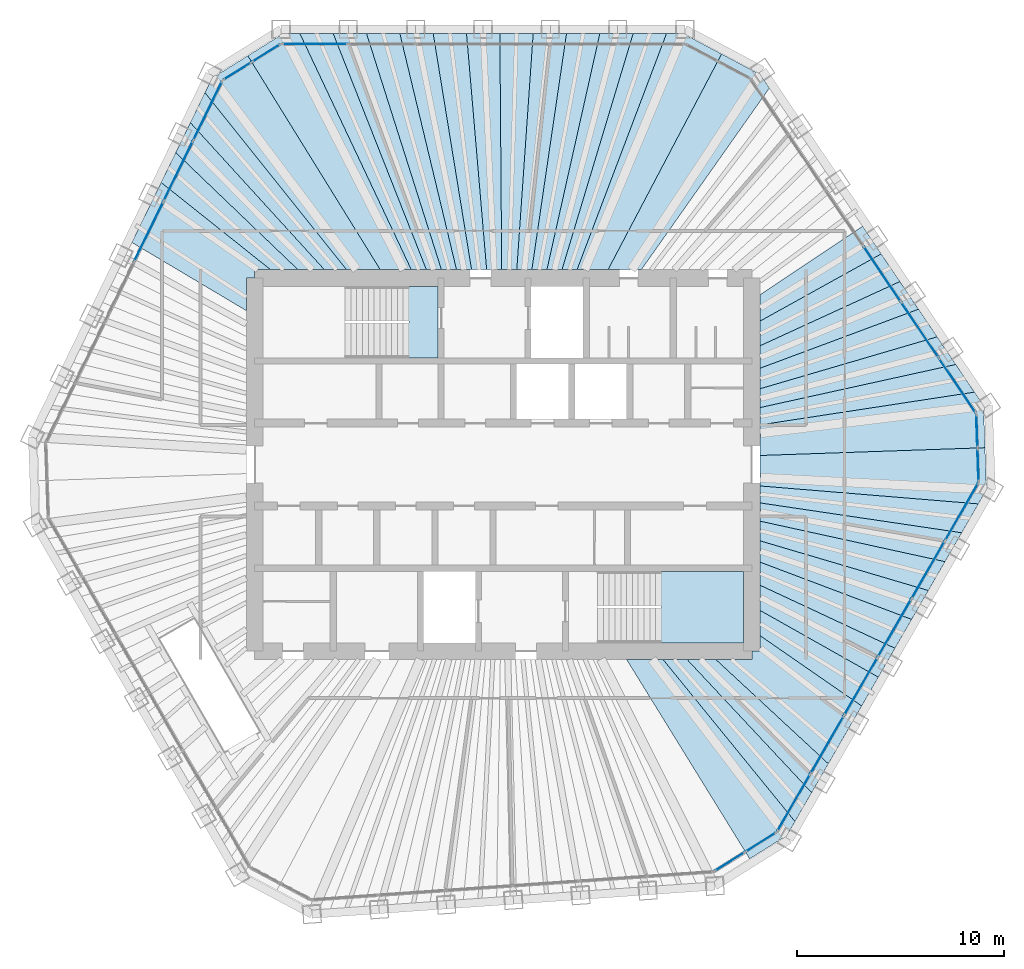
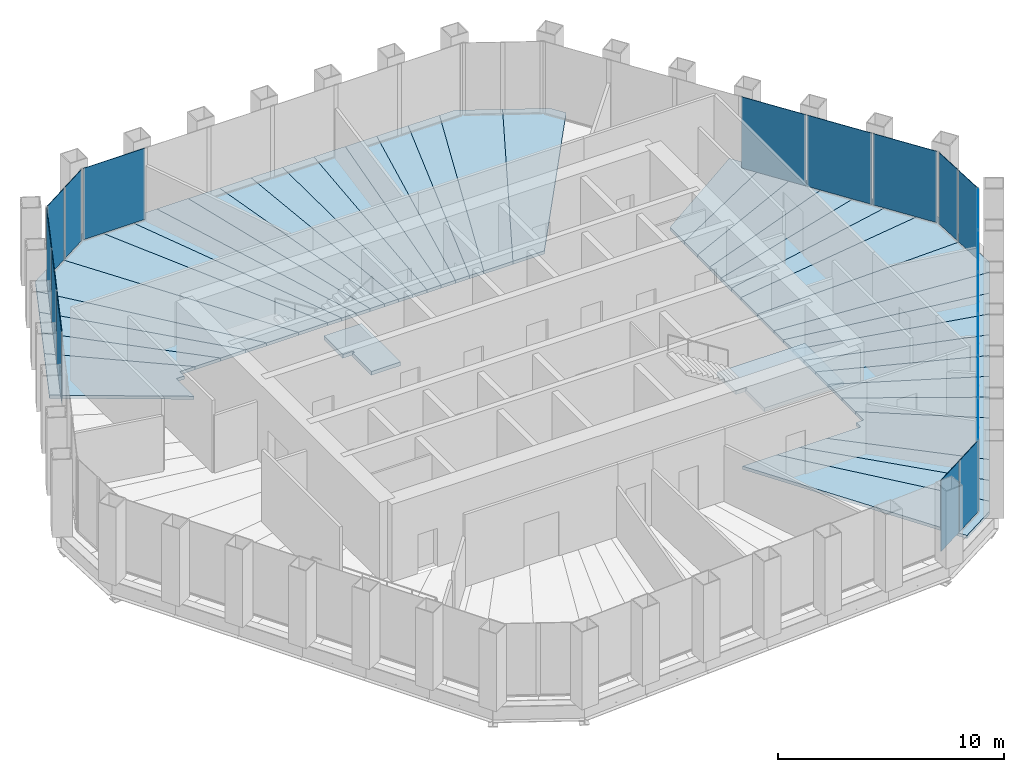
# One storey, part 10 of 14: 40 slabs, 19 plates, 9 elements without a shape of their own.
"""IFC4 building model written with IfcOpenShell, lengths in metres."""

from ifc_helpers import new_model, si_unit, direction, frame, origin, origin_2d, place, context, subcontext, project, spatial, polyline, rectangle, outline, extrude, material, layer, layer_set, type_object, element, aggregate, save


model = new_model("IFC4")

# Units and contexts
model_context = context("Model", 3, precision=1e-05, world=origin(), true_north=direction((0.0, 1.0)))
body_context = subcontext(model_context, "Body", "Model", "MODEL_VIEW")
ifc_project = project(units=[si_unit("LENGTHUNIT", "METRE"), si_unit("AREAUNIT", "SQUARE_METRE"), si_unit("VOLUMEUNIT", "CUBIC_METRE"), si_unit("PLANEANGLEUNIT", "RADIAN"), si_unit("MASSUNIT", "GRAM", prefix="KILO")], contexts=[model_context])

# Site, building, storey
site_placement = place(None, origin())
site = spatial("IfcSite", under=ifc_project, at=site_placement, CompositionType="ELEMENT")
building_placement = place(site_placement, origin())
building = spatial("IfcBuilding", under=site, at=building_placement, Name="Qingtian Harvest Tower", CompositionType="ELEMENT")
storey_placement = place(building_placement, frame((0.0, 0.0, 333.39990234375)))
storey = spatial("IfcBuildingStorey", under=building, at=storey_placement, Name="L74", CompositionType="ELEMENT", Elevation=333.39990234375)

# Slabs
ifc_material_1 = material(Name="Concrete fc' 35 MPa", Category="concrete")
ifc_layer_1 = layer(ifc_material_1, 0.169921875)
ifc_layer_set_1 = layer_set([ifc_layer_1], Name="Composite floor slab FS17 170")
slab_type_1 = type_object("IfcSlabType", Name="Composite floor slab FS17 170", PredefinedType="FLOOR", material=ifc_layer_set_1)
slab_1_placement = place(storey_placement, frame((0.0, 0.0, -0.169921875)))
element("IfcSlab", 1, at=slab_1_placement, inside=storey, type_object=slab_type_1, Name="Floor slab L74 panel D27", PredefinedType="FLOOR", context=body_context, shape_type="SweptSolid", body=[
    extrude(outline(polyline([(5.945556640625, -9.39990234375), (7.703125, -9.39990234375), (14.077880859375, -17.2265625), (13.6865234375, -17.904296875), (11.890380859375, -19.026611328125), (5.945556640625, -9.39990234375)])), origin(), (0.0, 0.0, 1.0), 0.169921875),
])
slab_2_placement = place(storey_placement, frame((0.0, 0.0, -0.169921875)))
element("IfcSlab", 2, at=slab_2_placement, inside=storey, type_object=slab_type_1, Name="Floor slab L74 panel D28", PredefinedType="FLOOR", context=body_context, shape_type="SweptSolid", body=[
    extrude(outline(polyline([(8.86279296875, -9.39990234375), (14.88232421875, -15.8330078125), (14.077880859375, -17.2265625), (7.703125, -9.39990234375), (8.86279296875, -9.39990234375)])), origin(), (0.0, 0.0, 1.0), 0.169921875),
])
slab_3_placement = place(storey_placement, frame((0.0, 0.0, -0.169921875)))
element("IfcSlab", 3, at=slab_3_placement, inside=storey, type_object=slab_type_1, Name="Floor slab L74 panel D29", PredefinedType="FLOOR", context=body_context, shape_type="SweptSolid", body=[
    extrude(outline(polyline([(10.248046875, -9.39990234375), (15.68701171875, -14.439453125), (14.88232421875, -15.8330078125), (8.86279296875, -9.39990234375), (10.248046875, -9.39990234375)])), origin(), (0.0, 0.0, 1.0), 0.169921875),
])
slab_4_placement = place(storey_placement, frame((0.0, 0.0, -0.169921875)))
element("IfcSlab", 4, at=slab_4_placement, inside=storey, type_object=slab_type_1, Name="Floor slab L74 panel D31", PredefinedType="FLOOR", context=body_context, shape_type="SweptSolid", body=[
    extrude(outline(polyline([(12.39990234375, -8.263427734375), (17.296630859375, -11.651123046875), (15.68701171875, -14.439453125), (10.248046875, -9.39990234375), (12.0, -9.39990234375), (12.0, -9.0), (12.39990234375, -9.0), (12.39990234375, -8.263427734375)])), origin(), (0.0, 0.0, 1.0), 0.169921875),
])
slab_5_placement = place(storey_placement, frame((0.0, 0.0, -0.169921875)))
element("IfcSlab", 5, at=slab_5_placement, inside=storey, type_object=slab_type_1, Name="Floor slab L74 panel D32", PredefinedType="FLOOR", context=body_context, shape_type="SweptSolid", body=[
    extrude(outline(polyline([(12.39990234375, -7.04296875), (18.099853515625, -10.26025390625), (17.296630859375, -11.651123046875), (12.39990234375, -8.263427734375), (12.39990234375, -7.04296875)])), origin(), (0.0, 0.0, 1.0), 0.169921875),
])
slab_6_placement = place(storey_placement, frame((0.0, 0.0, -0.169921875)))
element("IfcSlab", 6, at=slab_6_placement, inside=storey, type_object=slab_type_1, Name="Floor slab L74 panel D33", PredefinedType="FLOOR", context=body_context, shape_type="SweptSolid", body=[
    extrude(outline(polyline([(12.39990234375, -5.828125), (18.904296875, -8.86669921875), (18.099853515625, -10.26025390625), (12.39990234375, -7.04296875), (12.39990234375, -5.828125)])), origin(), (0.0, 0.0, 1.0), 0.169921875),
])
slab_7_placement = place(storey_placement, frame((0.0, 0.0, -0.169921875)))
element("IfcSlab", 7, at=slab_7_placement, inside=storey, type_object=slab_type_1, Name="Floor slab L74 panel D34", PredefinedType="FLOOR", context=body_context, shape_type="SweptSolid", body=[
    extrude(outline(polyline([(12.39990234375, -4.712646484375), (19.708740234375, -7.473388671875), (18.904296875, -8.86669921875), (12.39990234375, -5.828125), (12.39990234375, -4.712646484375)])), origin(), (0.0, 0.0, 1.0), 0.169921875),
])
slab_8_placement = place(storey_placement, frame((0.0, 0.0, -0.169921875)))
element("IfcSlab", 8, at=slab_8_placement, inside=storey, type_object=slab_type_1, Name="Floor slab L74 panel D35", PredefinedType="FLOOR", context=body_context, shape_type="SweptSolid", body=[
    extrude(outline(polyline([(12.39990234375, -3.684814453125), (20.51318359375, -6.080078125), (19.708740234375, -7.473388671875), (12.39990234375, -4.712646484375), (12.39990234375, -3.684814453125)])), origin(), (0.0, 0.0, 1.0), 0.169921875),
])
slab_9_placement = place(storey_placement, frame((0.0, 0.0, -0.169921875)))
element("IfcSlab", 9, at=slab_9_placement, inside=storey, type_object=slab_type_1, Name="Floor slab L74 panel D36", PredefinedType="FLOOR", context=body_context, shape_type="SweptSolid", body=[
    extrude(outline(polyline([(12.39990234375, -2.734619140625), (21.317626953125, -4.6865234375), (20.51318359375, -6.080078125), (12.39990234375, -3.684814453125), (12.39990234375, -2.734619140625)])), origin(), (0.0, 0.0, 1.0), 0.169921875),
])
slab_10_placement = place(storey_placement, frame((0.0, 0.0, -0.169921875)))
element("IfcSlab", 10, at=slab_10_placement, inside=storey, type_object=slab_type_1, Name="Floor slab L74 panel D37", PredefinedType="FLOOR", context=body_context, shape_type="SweptSolid", body=[
    extrude(outline(polyline([(12.39990234375, -1.853515625), (22.122314453125, -3.293212890625), (21.317626953125, -4.6865234375), (12.39990234375, -2.734619140625), (12.39990234375, -1.853515625)])), origin(), (0.0, 0.0, 1.0), 0.169921875),
])
slab_11_placement = place(storey_placement, frame((0.0, 0.0, -0.169921875)))
element("IfcSlab", 11, at=slab_11_placement, inside=storey, type_object=slab_type_1, Name="Floor slab L74 panel D38", PredefinedType="FLOOR", context=body_context, shape_type="SweptSolid", body=[
    extrude(outline(polyline([(12.39990234375, -1.034423828125), (22.9267578125, -1.89990234375), (22.122314453125, -3.293212890625), (12.39990234375, -1.853515625), (12.39990234375, -1.034423828125)])), origin(), (0.0, 0.0, 1.0), 0.169921875),
])
slab_12_placement = place(storey_placement, frame((0.0, 0.0, -0.169921875)))
element("IfcSlab", 12, at=slab_12_placement, inside=storey, type_object=slab_type_1, Name="Floor slab L74 panel D39", PredefinedType="FLOOR", context=body_context, shape_type="SweptSolid", body=[
    extrude(outline(polyline([(12.39990234375, -1.034423828125), (12.39990234375, 0.436279296875), (23.246826171875, 0.811767578125), (23.31787109375, -1.22216796875), (22.9267578125, -1.89990234375), (12.39990234375, -1.034423828125)])), origin(), (0.0, 0.0, 1.0), 0.169921875),
])
slab_13_placement = place(storey_placement, frame((0.0, 0.0, -0.169921875)))
element("IfcSlab", 13, at=slab_13_placement, inside=storey, type_object=slab_type_1, Name="Floor slab L74 panel D40", PredefinedType="FLOOR", context=body_context, shape_type="SweptSolid", body=[
    extrude(outline(polyline([(12.39990234375, 0.436279296875), (12.39990234375, 1.91357421875), (22.73828125, 3.494384765625), (23.17578125, 2.845947265625), (23.246826171875, 0.811767578125), (12.39990234375, 0.436279296875)])), origin(), (0.0, 0.0, 1.0), 0.169921875),
])
slab_14_placement = place(storey_placement, frame((0.0, 0.0, -0.169921875)))
element("IfcSlab", 14, at=slab_14_placement, inside=storey, type_object=slab_type_1, Name="Floor slab L74 panel D41", PredefinedType="FLOOR", context=body_context, shape_type="SweptSolid", body=[
    extrude(outline(polyline([(12.39990234375, 2.75048828125), (21.838623046875, 4.828369140625), (22.73828125, 3.494384765625), (12.39990234375, 1.91357421875), (12.39990234375, 2.75048828125)])), origin(), (0.0, 0.0, 1.0), 0.169921875),
])
slab_15_placement = place(storey_placement, frame((0.0, 0.0, -0.169921875)))
element("IfcSlab", 15, at=slab_15_placement, inside=storey, type_object=slab_type_1, Name="Floor slab L74 panel D42", PredefinedType="FLOOR", context=body_context, shape_type="SweptSolid", body=[
    extrude(outline(polyline([(12.39990234375, 3.659423828125), (20.93896484375, 6.162353515625), (21.838623046875, 4.828369140625), (12.39990234375, 2.75048828125), (12.39990234375, 3.659423828125)])), origin(), (0.0, 0.0, 1.0), 0.169921875),
])
slab_16_placement = place(storey_placement, frame((0.0, 0.0, -0.169921875)))
element("IfcSlab", 16, at=slab_16_placement, inside=storey, type_object=slab_type_1, Name="Floor slab L74 panel D43", PredefinedType="FLOOR", context=body_context, shape_type="SweptSolid", body=[
    extrude(outline(polyline([(12.39990234375, 4.64990234375), (20.0390625, 7.49609375), (20.93896484375, 6.162353515625), (12.39990234375, 3.659423828125), (12.39990234375, 4.64990234375)])), origin(), (0.0, 0.0, 1.0), 0.169921875),
])
slab_17_placement = place(storey_placement, frame((0.0, 0.0, -0.169921875)))
element("IfcSlab", 17, at=slab_17_placement, inside=storey, type_object=slab_type_1, Name="Floor slab L74 panel D44", PredefinedType="FLOOR", context=body_context, shape_type="SweptSolid", body=[
    extrude(outline(polyline([(12.39990234375, 5.73388671875), (19.139404296875, 8.830078125), (20.0390625, 7.49609375), (12.39990234375, 4.64990234375), (12.39990234375, 5.73388671875)])), origin(), (0.0, 0.0, 1.0), 0.169921875),
])
slab_18_placement = place(storey_placement, frame((0.0, 0.0, -0.169921875)))
element("IfcSlab", 18, at=slab_18_placement, inside=storey, type_object=slab_type_1, Name="Floor slab L74 panel D45", PredefinedType="FLOOR", context=body_context, shape_type="SweptSolid", body=[
    extrude(outline(polyline([(12.39990234375, 6.925048828125), (18.23974609375, 10.1640625), (19.139404296875, 8.830078125), (12.39990234375, 5.73388671875), (12.39990234375, 6.925048828125)])), origin(), (0.0, 0.0, 1.0), 0.169921875),
])
slab_19_placement = place(storey_placement, frame((0.0, 0.0, -0.169921875)))
element("IfcSlab", 19, at=slab_19_placement, inside=storey, type_object=slab_type_1, Name="Floor slab L74 panel D46", PredefinedType="FLOOR", context=body_context, shape_type="SweptSolid", body=[
    extrude(outline(polyline([(12.39990234375, 8.199462890625), (17.340576171875, 11.4970703125), (18.23974609375, 10.1640625), (12.39990234375, 6.925048828125), (12.39990234375, 8.199462890625)])), origin(), (0.0, 0.0, 1.0), 0.169921875),
])
slab_20_placement = place(storey_placement, frame((0.0, 0.0, -0.169921875)))
element("IfcSlab", 20, at=slab_20_placement, inside=storey, type_object=slab_type_1, Name="Floor slab L74 panel D52", PredefinedType="FLOOR", context=body_context, shape_type="SweptSolid", body=[
    extrude(outline(polyline([(5.05419921875, 9.39990234375), (10.533935546875, 19.809814453125), (12.404296875, 18.8154296875), (12.841796875, 18.16650390625), (6.662109375, 9.39990234375), (5.05419921875, 9.39990234375)])), origin(), (0.0, 0.0, 1.0), 0.169921875),
])
slab_21_placement = place(storey_placement, frame((0.0, 0.0, -0.169921875)))
element("IfcSlab", 21, at=slab_21_placement, inside=storey, type_object=slab_type_1, Name="Floor slab L74 panel D53", PredefinedType="FLOOR", context=body_context, shape_type="SweptSolid", body=[
    extrude(outline(polyline([(5.05419921875, 9.39990234375), (3.560302734375, 9.39990234375), (7.880126953125, 20.804931640625), (8.662109375, 20.804931640625), (10.533935546875, 19.809814453125), (5.05419921875, 9.39990234375)])), origin(), (0.0, 0.0, 1.0), 0.169921875),
])
slab_22_placement = place(storey_placement, frame((0.0, 0.0, -0.169921875)))
element("IfcSlab", 22, at=slab_22_placement, inside=storey, type_object=slab_type_1, Name="Floor slab L74 panel D54", PredefinedType="FLOOR", context=body_context, shape_type="SweptSolid", body=[
    extrude(outline(polyline([(2.833251953125, 9.39990234375), (6.27099609375, 20.804931640625), (7.880126953125, 20.804931640625), (3.560302734375, 9.39990234375), (2.833251953125, 9.39990234375)])), origin(), (0.0, 0.0, 1.0), 0.169921875),
])
slab_23_placement = place(storey_placement, frame((0.0, 0.0, -0.169921875)))
element("IfcSlab", 23, at=slab_23_placement, inside=storey, type_object=slab_type_1, Name="Floor slab L74 panel D55", PredefinedType="FLOOR", context=body_context, shape_type="SweptSolid", body=[
    extrude(outline(polyline([(2.1064453125, 9.39990234375), (4.662109375, 20.804931640625), (6.27099609375, 20.804931640625), (2.833251953125, 9.39990234375), (2.1064453125, 9.39990234375)])), origin(), (0.0, 0.0, 1.0), 0.169921875),
])
slab_24_placement = place(storey_placement, frame((0.0, 0.0, -0.169921875)))
element("IfcSlab", 24, at=slab_24_placement, inside=storey, type_object=slab_type_1, Name="Floor slab L74 panel D56", PredefinedType="FLOOR", context=body_context, shape_type="SweptSolid", body=[
    extrude(outline(polyline([(1.37939453125, 9.39990234375), (3.05322265625, 20.804931640625), (4.662109375, 20.804931640625), (2.1064453125, 9.39990234375), (1.37939453125, 9.39990234375)])), origin(), (0.0, 0.0, 1.0), 0.169921875),
])
slab_25_placement = place(storey_placement, frame((0.0, 0.0, -0.169921875)))
element("IfcSlab", 25, at=slab_25_placement, inside=storey, type_object=slab_type_1, Name="Floor slab L74 panel D57", PredefinedType="FLOOR", context=body_context, shape_type="SweptSolid", body=[
    extrude(outline(polyline([(0.652587890625, 9.39990234375), (1.4443359375, 20.804931640625), (3.05322265625, 20.804931640625), (1.37939453125, 9.39990234375), (0.652587890625, 9.39990234375)])), origin(), (0.0, 0.0, 1.0), 0.169921875),
])
slab_26_placement = place(storey_placement, frame((0.0, 0.0, -0.169921875)))
element("IfcSlab", 26, at=slab_26_placement, inside=storey, type_object=slab_type_1, Name="Floor slab L74 panel D58", PredefinedType="FLOOR", context=body_context, shape_type="SweptSolid", body=[
    extrude(outline(polyline([(-0.074462890625, 9.39990234375), (-0.16455078125, 20.804931640625), (1.4443359375, 20.804931640625), (0.652587890625, 9.39990234375), (-0.074462890625, 9.39990234375)])), origin(), (0.0, 0.0, 1.0), 0.169921875),
])
slab_27_placement = place(storey_placement, frame((0.0, 0.0, -0.169921875)))
element("IfcSlab", 27, at=slab_27_placement, inside=storey, type_object=slab_type_1, Name="Floor slab L74 panel D59", PredefinedType="FLOOR", context=body_context, shape_type="SweptSolid", body=[
    extrude(outline(polyline([(-0.80126953125, 9.39990234375), (-1.773681640625, 20.804931640625), (-0.16455078125, 20.804931640625), (-0.074462890625, 9.39990234375), (-0.80126953125, 9.39990234375)])), origin(), (0.0, 0.0, 1.0), 0.169921875),
])
slab_28_placement = place(storey_placement, frame((0.0, 0.0, -0.169921875)))
element("IfcSlab", 28, at=slab_28_placement, inside=storey, type_object=slab_type_1, Name="Floor slab L74 panel D60", PredefinedType="FLOOR", context=body_context, shape_type="SweptSolid", body=[
    extrude(outline(polyline([(-1.5283203125, 9.39990234375), (-3.382568359375, 20.804931640625), (-1.773681640625, 20.804931640625), (-0.80126953125, 9.39990234375), (-1.5283203125, 9.39990234375)])), origin(), (0.0, 0.0, 1.0), 0.169921875),
])
slab_29_placement = place(storey_placement, frame((0.0, 0.0, -0.169921875)))
element("IfcSlab", 29, at=slab_29_placement, inside=storey, type_object=slab_type_1, Name="Floor slab L74 panel D61", PredefinedType="FLOOR", context=body_context, shape_type="SweptSolid", body=[
    extrude(outline(polyline([(-2.255126953125, 9.39990234375), (-4.991455078125, 20.804931640625), (-3.382568359375, 20.804931640625), (-1.5283203125, 9.39990234375), (-2.255126953125, 9.39990234375)])), origin(), (0.0, 0.0, 1.0), 0.169921875),
])
slab_30_placement = place(storey_placement, frame((0.0, 0.0, -0.169921875)))
element("IfcSlab", 30, at=slab_30_placement, inside=storey, type_object=slab_type_1, Name="Floor slab L74 panel D62", PredefinedType="FLOOR", context=body_context, shape_type="SweptSolid", body=[
    extrude(outline(polyline([(-2.982177734375, 9.39990234375), (-6.600341796875, 20.804931640625), (-4.991455078125, 20.804931640625), (-2.255126953125, 9.39990234375), (-2.982177734375, 9.39990234375)])), origin(), (0.0, 0.0, 1.0), 0.169921875),
])
slab_31_placement = place(storey_placement, frame((0.0, 0.0, -0.169921875)))
element("IfcSlab", 31, at=slab_31_placement, inside=storey, type_object=slab_type_1, Name="Floor slab L74 panel D63", PredefinedType="FLOOR", context=body_context, shape_type="SweptSolid", body=[
    extrude(outline(polyline([(-3.708984375, 9.39990234375), (-8.209228515625, 20.804931640625), (-6.600341796875, 20.804931640625), (-2.982177734375, 9.39990234375), (-3.708984375, 9.39990234375)])), origin(), (0.0, 0.0, 1.0), 0.169921875),
])
slab_32_placement = place(storey_placement, frame((0.0, 0.0, -0.169921875)))
element("IfcSlab", 32, at=slab_32_placement, inside=storey, type_object=slab_type_1, Name="Floor slab L74 panel D64", PredefinedType="FLOOR", context=body_context, shape_type="SweptSolid", body=[
    extrude(outline(polyline([(-4.43603515625, 9.39990234375), (-9.818115234375, 20.804931640625), (-8.209228515625, 20.804931640625), (-3.708984375, 9.39990234375), (-4.43603515625, 9.39990234375)])), origin(), (0.0, 0.0, 1.0), 0.169921875),
])
slab_33_placement = place(storey_placement, frame((0.0, 0.0, -0.169921875)))
element("IfcSlab", 33, at=slab_33_placement, inside=storey, type_object=slab_type_1, Name="Floor slab L74 panel D65", PredefinedType="FLOOR", context=body_context, shape_type="SweptSolid", body=[
    extrude(outline(polyline([(-4.43603515625, 9.39990234375), (-5.935302734375, 9.39990234375), (-12.327392578125, 19.725830078125), (-10.600341796875, 20.804931640625), (-9.818115234375, 20.804931640625), (-4.43603515625, 9.39990234375)])), origin(), (0.0, 0.0, 1.0), 0.169921875),
])
slab_34_placement = place(storey_placement, frame((0.0, 0.0, -0.169921875)))
element("IfcSlab", 34, at=slab_34_placement, inside=storey, type_object=slab_type_1, Name="Floor slab L74 panel D66", PredefinedType="FLOOR", context=body_context, shape_type="SweptSolid", body=[
    extrude(outline(polyline([(-5.935302734375, 9.39990234375), (-7.560302734375, 9.39990234375), (-14.3955078125, 17.944580078125), (-14.052490234375, 18.64794921875), (-12.327392578125, 19.725830078125), (-5.935302734375, 9.39990234375)])), origin(), (0.0, 0.0, 1.0), 0.169921875),
])
slab_35_placement = place(storey_placement, frame((0.0, 0.0, -0.169921875)))
element("IfcSlab", 35, at=slab_35_placement, inside=storey, type_object=slab_type_1, Name="Floor slab L74 panel D67", PredefinedType="FLOOR", context=body_context, shape_type="SweptSolid", body=[
    extrude(outline(polyline([(-8.62890625, 9.39990234375), (-15.100830078125, 16.498291015625), (-14.3955078125, 17.944580078125), (-7.560302734375, 9.39990234375), (-8.62890625, 9.39990234375)])), origin(), (0.0, 0.0, 1.0), 0.169921875),
])
slab_36_placement = place(storey_placement, frame((0.0, 0.0, -0.169921875)))
element("IfcSlab", 36, at=slab_36_placement, inside=storey, type_object=slab_type_1, Name="Floor slab L74 panel D68", PredefinedType="FLOOR", context=body_context, shape_type="SweptSolid", body=[
    extrude(outline(polyline([(-9.90380859375, 9.39990234375), (-15.80615234375, 15.05224609375), (-15.100830078125, 16.498291015625), (-8.62890625, 9.39990234375), (-9.90380859375, 9.39990234375)])), origin(), (0.0, 0.0, 1.0), 0.169921875),
])
slab_37_placement = place(storey_placement, frame((0.0, 0.0, -0.169921875)))
element("IfcSlab", 37, at=slab_37_placement, inside=storey, type_object=slab_type_1, Name="Floor slab L74 panel D69", PredefinedType="FLOOR", context=body_context, shape_type="SweptSolid", body=[
    extrude(outline(polyline([(-11.224853515625, 9.39990234375), (-16.509765625, 13.609619140625), (-15.80615234375, 15.05224609375), (-9.90380859375, 9.39990234375), (-11.224853515625, 9.39990234375)])), origin(), (0.0, 0.0, 1.0), 0.169921875),
])
slab_38_placement = place(storey_placement, frame((0.0, 0.0, -0.169921875)))
element("IfcSlab", 38, at=slab_38_placement, inside=storey, type_object=slab_type_1, Name="Floor slab L74 panel D70", PredefinedType="FLOOR", context=body_context, shape_type="SweptSolid", body=[
    extrude(outline(polyline([(-12.0, 9.0), (-12.39990234375, 9.0), (-12.39990234375, 7.42578125), (-17.921875, 10.714599609375), (-16.509765625, 13.609619140625), (-11.224853515625, 9.39990234375), (-12.0, 9.39990234375), (-12.0, 9.0)])), origin(), (0.0, 0.0, 1.0), 0.169921875),
])

# Curtain wall, plate
ifc_material_2 = material(Name="Bronze-anodised aluminium curtain wall", Category="aluminium")
curtain_wall_type = type_object("IfcCurtainWallType", Name="Curtain wall CW6 executive floors", PredefinedType="USERDEFINED", material=ifc_material_2)
curtain_wall_1_placement = place(storey_placement, origin())
curtain_wall_1 = element("IfcCurtainWall", 39, at=curtain_wall_1_placement, inside=storey, type_object=curtain_wall_type, Name="Curtain wall CW6 L74 N0-5", ObjectType="RECESSED CURTAIN WALL", PredefinedType="USERDEFINED")
ifc_material_3 = material(Name="Bronze-tinted laminated insulating glass", Category="glass")
ifc_layer_2 = layer(ifc_material_3, 0.030029296875)
ifc_layer_set_2 = layer_set([ifc_layer_2], Name="Glazed panel CWP tinted IGU")
plate_type = type_object("IfcPlateType", Name="Glazed panel CWP tinted IGU", PredefinedType="CURTAIN_PANEL", material=ifc_layer_set_2)
plate_1_placement = place(storey_placement, frame((-9.08203125, 20.300048828125, 0.065185546875), z_axis=(0.0, 0.0, 1.0), x_axis=(1.0, 0.0, 0.0)))
plate_1 = element("IfcPlate", 40, at=plate_1_placement, type_object=plate_type, Name="CW6 panel 1.1", PredefinedType="CURTAIN_PANEL", context=body_context, shape_type="SweptSolid", body=[
    extrude(rectangle(XDim=3.150634765625, YDim=0.030029296875, at=origin_2d()), origin(), (0.0, 0.0, 1.0), 3.85498046875),
])
aggregate(curtain_wall_1, [plate_1])

# Curtain wall, plates
curtain_wall_2_placement = place(storey_placement, origin())
curtain_wall_2 = element("IfcCurtainWall", 41, at=curtain_wall_2_placement, inside=storey, type_object=curtain_wall_type, Name="Curtain wall CW6 L74 NE0-5", ObjectType="RECESSED CURTAIN WALL", PredefinedType="USERDEFINED")
plate_2_placement = place(storey_placement, frame((18.28466796875, 9.1943359375, 0.065185546875), z_axis=(0.0, 0.0, 1.0), x_axis=(0.559192903471, -0.829037572555, 0.0)))
plate_2 = element("IfcPlate", 42, at=plate_2_placement, type_object=plate_type, Name="CW6 panel 4.1", PredefinedType="CURTAIN_PANEL", context=body_context, shape_type="SweptSolid", body=[
    extrude(rectangle(XDim=3.18310546875, YDim=0.030029296875, at=origin_2d()), origin(), (0.0, 0.0, 1.0), 3.85498046875),
])
plate_3_placement = place(storey_placement, frame((20.100830078125, 6.50146484375, 0.065185546875), z_axis=(0.0, 0.0, 1.0), x_axis=(0.559192903471, -0.829037572555, 0.0)))
plate_3 = element("IfcPlate", 43, at=plate_3_placement, type_object=plate_type, Name="CW6 panel 5.1", PredefinedType="CURTAIN_PANEL", context=body_context, shape_type="SweptSolid", body=[
    extrude(rectangle(XDim=3.18310546875, YDim=0.030029296875, at=origin_2d()), origin(), (0.0, 0.0, 1.0), 3.85498046875),
])
plate_4_placement = place(storey_placement, frame((21.907958984375, 3.822265625, 0.065185546875), z_axis=(0.0, 0.0, 1.0), x_axis=(0.559192903471, -0.829037572555, 0.0)))
plate_4 = element("IfcPlate", 44, at=plate_4_placement, type_object=plate_type, Name="CW6 panel 6.1", PredefinedType="CURTAIN_PANEL", context=body_context, shape_type="SweptSolid", body=[
    extrude(rectangle(XDim=3.150634765625, YDim=0.030029296875, at=origin_2d()), origin(), (0.0, 0.0, 1.0), 3.85498046875),
])
aggregate(curtain_wall_2, [plate_2, plate_3, plate_4])

curtain_wall_3_placement = place(storey_placement, origin())
curtain_wall_3 = element("IfcCurtainWall", 45, at=curtain_wall_3_placement, inside=storey, type_object=curtain_wall_type, Name="Curtain wall CW6 L74 NEC", ObjectType="RECESSED CURTAIN WALL", PredefinedType="USERDEFINED")
plate_5_placement = place(storey_placement, frame((22.85498046875, 1.614501953125, 0.065185546875), z_axis=(0.0, 0.0, 1.0), x_axis=(0.034899496703, -0.999390827019, 0.0)))
plate_5 = element("IfcPlate", 46, at=plate_5_placement, type_object=plate_type, Name="CW6 panel 1.1", PredefinedType="CURTAIN_PANEL", context=body_context, shape_type="SweptSolid", body=[
    extrude(rectangle(XDim=1.56689453125, YDim=0.030029296875, at=origin_2d()), origin(), (0.0, 0.0, 1.0), 3.85498046875),
])
plate_6_placement = place(storey_placement, frame((22.911865234375, -0.016357421875, 0.065185546875), z_axis=(0.0, 0.0, 1.0), x_axis=(0.034899496703, -0.999390827019, 0.0)))
plate_6 = element("IfcPlate", 47, at=plate_6_placement, type_object=plate_type, Name="CW6 panel 2.1", PredefinedType="CURTAIN_PANEL", context=body_context, shape_type="SweptSolid", body=[
    extrude(rectangle(XDim=1.56689453125, YDim=0.030029296875, at=origin_2d()), origin(), (0.0, 0.0, 1.0), 3.85498046875),
])
aggregate(curtain_wall_3, [plate_5, plate_6])

curtain_wall_4_placement = place(storey_placement, origin())
curtain_wall_4 = element("IfcCurtainWall", 48, at=curtain_wall_4_placement, inside=storey, type_object=curtain_wall_type, Name="Curtain wall CW6 L74 SE0-5", ObjectType="RECESSED CURTAIN WALL", PredefinedType="USERDEFINED")
plate_7_placement = place(storey_placement, frame((22.121337890625, -2.28466796875, 0.065185546875), z_axis=(0.0, 0.0, 1.0), x_axis=(-0.5, -0.866025403784, 0.0)))
plate_7 = element("IfcPlate", 49, at=plate_7_placement, type_object=plate_type, Name="CW6 panel 1.1", PredefinedType="CURTAIN_PANEL", context=body_context, shape_type="SweptSolid", body=[
    extrude(rectangle(XDim=3.150634765625, YDim=0.030029296875, at=origin_2d()), origin(), (0.0, 0.0, 1.0), 3.85498046875),
])
plate_8_placement = place(storey_placement, frame((20.50537109375, -5.08349609375, 0.065185546875), z_axis=(0.0, 0.0, 1.0), x_axis=(-0.5, -0.866025403784, 0.0)))
plate_8 = element("IfcPlate", 50, at=plate_8_placement, type_object=plate_type, Name="CW6 panel 2.1", PredefinedType="CURTAIN_PANEL", context=body_context, shape_type="SweptSolid", body=[
    extrude(rectangle(XDim=3.18310546875, YDim=0.030029296875, at=origin_2d()), origin(), (0.0, 0.0, 1.0), 3.85498046875),
])
plate_9_placement = place(storey_placement, frame((18.88134765625, -7.896484375, 0.065185546875), z_axis=(0.0, 0.0, 1.0), x_axis=(-0.5, -0.866025403784, 0.0)))
plate_9 = element("IfcPlate", 51, at=plate_9_placement, type_object=plate_type, Name="CW6 panel 3.1", PredefinedType="CURTAIN_PANEL", context=body_context, shape_type="SweptSolid", body=[
    extrude(rectangle(XDim=3.18310546875, YDim=0.030029296875, at=origin_2d()), origin(), (0.0, 0.0, 1.0), 3.85498046875),
])
plate_10_placement = place(storey_placement, frame((17.25732421875, -10.709228515625, 0.065185546875), z_axis=(0.0, 0.0, 1.0), x_axis=(-0.5, -0.866025403784, 0.0)))
plate_10 = element("IfcPlate", 52, at=plate_10_placement, type_object=plate_type, Name="CW6 panel 4.1", PredefinedType="CURTAIN_PANEL", context=body_context, shape_type="SweptSolid", body=[
    extrude(rectangle(XDim=3.18310546875, YDim=0.030029296875, at=origin_2d()), origin(), (0.0, 0.0, 1.0), 3.85498046875),
])
plate_11_placement = place(storey_placement, frame((15.63330078125, -13.522216796875, 0.065185546875), z_axis=(0.0, 0.0, 1.0), x_axis=(-0.5, -0.866025403784, 0.0)))
plate_11 = element("IfcPlate", 53, at=plate_11_placement, type_object=plate_type, Name="CW6 panel 5.1", PredefinedType="CURTAIN_PANEL", context=body_context, shape_type="SweptSolid", body=[
    extrude(rectangle(XDim=3.18310546875, YDim=0.030029296875, at=origin_2d()), origin(), (0.0, 0.0, 1.0), 3.85498046875),
])
plate_12_placement = place(storey_placement, frame((14.017578125, -16.321044921875, 0.065185546875), z_axis=(0.0, 0.0, 1.0), x_axis=(-0.5, -0.866025403784, 0.0)))
plate_12 = element("IfcPlate", 54, at=plate_12_placement, type_object=plate_type, Name="CW6 panel 6.1", PredefinedType="CURTAIN_PANEL", context=body_context, shape_type="SweptSolid", body=[
    extrude(rectangle(XDim=3.150634765625, YDim=0.030029296875, at=origin_2d()), origin(), (0.0, 0.0, 1.0), 3.85498046875),
])
aggregate(curtain_wall_4, [plate_7, plate_8, plate_9, plate_10, plate_11, plate_12])

curtain_wall_5_placement = place(storey_placement, origin())
curtain_wall_5 = element("IfcCurtainWall", 55, at=curtain_wall_5_placement, inside=storey, type_object=curtain_wall_type, Name="Curtain wall CW6 L74 SEC", ObjectType="RECESSED CURTAIN WALL", PredefinedType="USERDEFINED")
plate_13_placement = place(storey_placement, frame((12.42431640625, -18.224609375, 0.065185546875), z_axis=(0.0, 0.0, 1.0), x_axis=(-0.848048096156, -0.529919264233, 0.0)))
plate_13 = element("IfcPlate", 56, at=plate_13_placement, type_object=plate_type, Name="CW6 panel 1.1", PredefinedType="CURTAIN_PANEL", context=body_context, shape_type="SweptSolid", body=[
    extrude(rectangle(XDim=1.69287109375, YDim=0.030029296875, at=origin_2d()), origin(), (0.0, 0.0, 1.0), 3.85498046875),
])
plate_14_placement = place(storey_placement, frame((10.93359375, -19.156005859375, 0.065185546875), z_axis=(0.0, 0.0, 1.0), x_axis=(-0.848048096156, -0.529919264233, 0.0)))
plate_14 = element("IfcPlate", 57, at=plate_14_placement, type_object=plate_type, Name="CW6 panel 2.1", PredefinedType="CURTAIN_PANEL", context=body_context, shape_type="SweptSolid", body=[
    extrude(rectangle(XDim=1.69287109375, YDim=0.030029296875, at=origin_2d()), origin(), (0.0, 0.0, 1.0), 3.85498046875),
])
aggregate(curtain_wall_5, [plate_13, plate_14])

curtain_wall_6_placement = place(storey_placement, origin())
curtain_wall_6 = element("IfcCurtainWall", 58, at=curtain_wall_6_placement, inside=storey, type_object=curtain_wall_type, Name="Curtain wall CW6 L74 NW0-5", ObjectType="RECESSED CURTAIN WALL", PredefinedType="USERDEFINED")
plate_15_placement = place(storey_placement, frame((-17.104736328125, 11.23779296875, 0.065185546875), z_axis=(0.0, 0.0, 1.0), x_axis=(0.438371146789, 0.898794046299, 0.0)))
plate_15 = element("IfcPlate", 59, at=plate_15_placement, type_object=plate_type, Name="CW6 panel 4.1", PredefinedType="CURTAIN_PANEL", context=body_context, shape_type="SweptSolid", body=[
    extrude(rectangle(XDim=3.18310546875, YDim=0.030029296875, at=origin_2d()), origin(), (0.0, 0.0, 1.0), 3.85498046875),
])
plate_16_placement = place(storey_placement, frame((-15.680908203125, 14.156982421875, 0.065185546875), z_axis=(0.0, 0.0, 1.0), x_axis=(0.438371146789, 0.898794046299, 0.0)))
plate_16 = element("IfcPlate", 60, at=plate_16_placement, type_object=plate_type, Name="CW6 panel 5.1", PredefinedType="CURTAIN_PANEL", context=body_context, shape_type="SweptSolid", body=[
    extrude(rectangle(XDim=3.18310546875, YDim=0.030029296875, at=origin_2d()), origin(), (0.0, 0.0, 1.0), 3.85498046875),
])
plate_17_placement = place(storey_placement, frame((-14.26416015625, 17.061767578125, 0.065185546875), z_axis=(0.0, 0.0, 1.0), x_axis=(0.438371146789, 0.898794046299, 0.0)))
plate_17 = element("IfcPlate", 61, at=plate_17_placement, type_object=plate_type, Name="CW6 panel 6.1", PredefinedType="CURTAIN_PANEL", context=body_context, shape_type="SweptSolid", body=[
    extrude(rectangle(XDim=3.150634765625, YDim=0.030029296875, at=origin_2d()), origin(), (0.0, 0.0, 1.0), 3.85498046875),
])
aggregate(curtain_wall_6, [plate_15, plate_16, plate_17])

curtain_wall_7_placement = place(storey_placement, origin())
curtain_wall_7 = element("IfcCurtainWall", 62, at=curtain_wall_7_placement, inside=storey, type_object=curtain_wall_type, Name="Curtain wall CW6 L74 NWC", ObjectType="RECESSED CURTAIN WALL", PredefinedType="USERDEFINED")
plate_18_placement = place(storey_placement, frame((-12.82568359375, 18.985595703125, 0.065185546875), z_axis=(0.0, 0.0, 1.0), x_axis=(0.848048096156, 0.529919264233, 0.0)))
plate_18 = element("IfcPlate", 63, at=plate_18_placement, type_object=plate_type, Name="CW6 panel 1.1", PredefinedType="CURTAIN_PANEL", context=body_context, shape_type="SweptSolid", body=[
    extrude(rectangle(XDim=1.56689453125, YDim=0.030029296875, at=origin_2d()), origin(), (0.0, 0.0, 1.0), 3.85498046875),
])
plate_19_placement = place(storey_placement, frame((-11.441650390625, 19.850341796875, 0.065185546875), z_axis=(0.0, 0.0, 1.0), x_axis=(0.848048096156, 0.529919264233, 0.0)))
plate_19 = element("IfcPlate", 64, at=plate_19_placement, type_object=plate_type, Name="CW6 panel 2.1", PredefinedType="CURTAIN_PANEL", context=body_context, shape_type="SweptSolid", body=[
    extrude(rectangle(XDim=1.56689453125, YDim=0.030029296875, at=origin_2d()), origin(), (0.0, 0.0, 1.0), 3.85498046875),
])
aggregate(curtain_wall_7, [plate_18, plate_19])

# Stair, slab
ifc_material_4 = material(Name="Concrete fc' 35 MPa", Category="concrete")
stair_type = type_object("IfcStairType", Name="Special stair ST7 4200", PredefinedType="HALF_TURN_STAIR", material=ifc_material_4)
stair_1_placement = place(storey_placement, origin())
stair_1 = element("IfcStair", 65, at=stair_1_placement, inside=storey, type_object=stair_type, Name="Special stair S1 L74", PredefinedType="HALF_TURN_STAIR")
ifc_material_5 = material(Name="Concrete fc' 35 MPa", Category="concrete")
ifc_layer_3 = layer(ifc_material_5, 0.199951171875)
ifc_layer_set_3 = layer_set([ifc_layer_3], Name="Stair landing SL2 200")
slab_type_2 = type_object("IfcSlabType", Name="Stair landing SL2 200", PredefinedType="LANDING", material=ifc_layer_set_3)
slab_39_placement = place(storey_placement, frame((0.0, 0.0, -0.199951171875)))
slab_39 = element("IfcSlab", 66, at=slab_39_placement, type_object=slab_type_2, Name="S1 landing 1", PredefinedType="LANDING", context=body_context, shape_type="SweptSolid", body=[
    extrude(outline(polyline([(-4.64990234375, 5.14990234375), (-4.64990234375, 6.824951171875), (-4.550048828125, 6.824951171875), (-4.550048828125, 6.925048828125), (-5.0849609375, 6.925048828125), (-5.0849609375, 8.60009765625), (-3.14990234375, 8.60009765625), (-3.14990234375, 5.14990234375), (-4.64990234375, 5.14990234375)])), origin(), (0.0, 0.0, 1.0), 0.199951171875),
])
aggregate(stair_1, [slab_39])

stair_2_placement = place(storey_placement, origin())
stair_2 = element("IfcStair", 67, at=stair_2_placement, inside=storey, type_object=stair_type, Name="Special stair S2 L74", PredefinedType="HALF_TURN_STAIR")
slab_40_placement = place(storey_placement, frame((0.0, 0.0, 1.900146484375)))
slab_40 = element("IfcSlab", 68, at=slab_40_placement, type_object=slab_type_2, Name="S2 landing 2", PredefinedType="LANDING", context=body_context, shape_type="SweptSolid", body=[
    extrude(outline(polyline([(7.530029296875, -8.60009765625), (7.530029296875, -6.925048828125), (7.6298828125, -6.925048828125), (7.6298828125, -6.824951171875), (7.094970703125, -6.824951171875), (7.094970703125, -5.14990234375), (11.60009765625, -5.14990234375), (11.60009765625, -8.60009765625), (7.530029296875, -8.60009765625)])), origin(), (0.0, 0.0, 1.0), 0.199951171875),
])
aggregate(stair_2, [slab_40])

save(model, "model.ifc")
